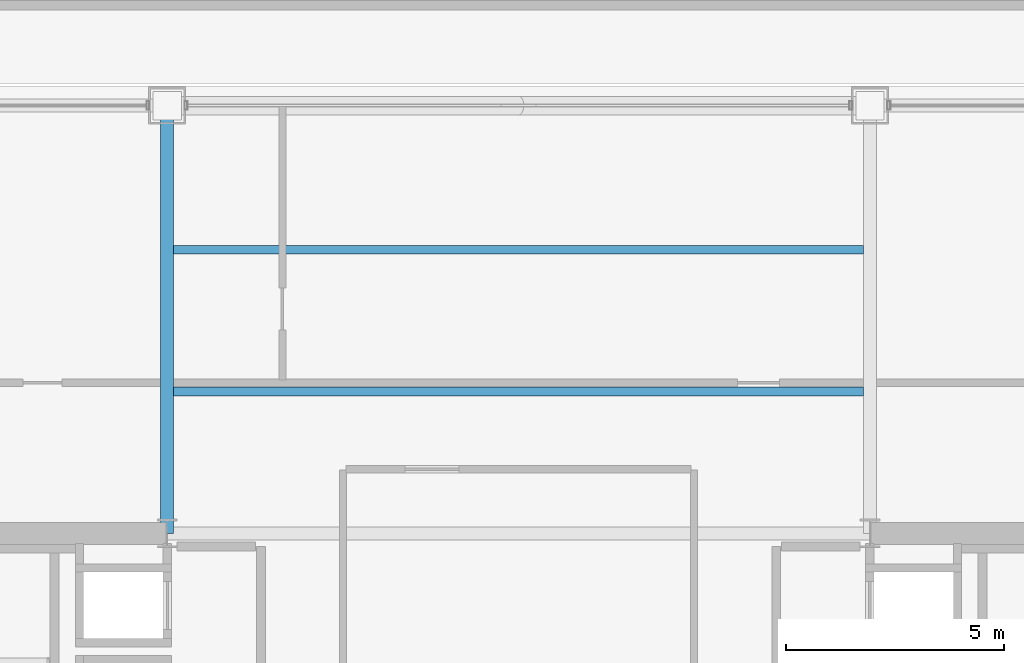
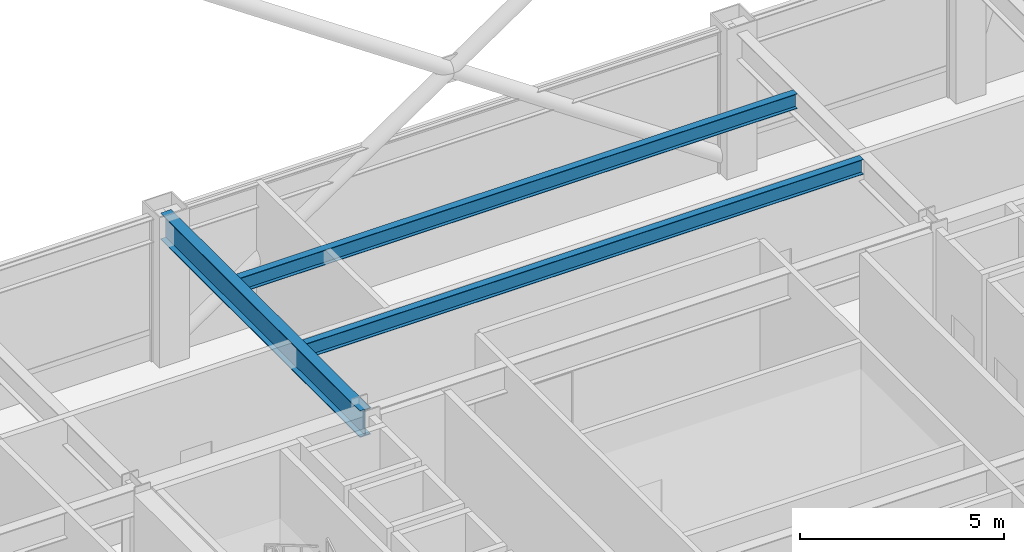
# One storey, part 21 of 32: 3 beams.
"""IFC4 building model written with IfcOpenShell, lengths in metres."""

from ifc_helpers import new_model, si_unit, direction, frame, origin, origin_2d, place, context, subcontext, project, spatial, i_section, extrude, material, material_profile, profile_set, type_object, element, save


model = new_model("IFC4")

# Units and contexts
model_context = context("Model", 3, precision=1e-05, world=origin(), true_north=direction((0.0, 1.0)))
body_context = subcontext(model_context, "Body", "Model", "MODEL_VIEW")
ifc_project = project(units=[si_unit("LENGTHUNIT", "METRE"), si_unit("AREAUNIT", "SQUARE_METRE"), si_unit("VOLUMEUNIT", "CUBIC_METRE"), si_unit("PLANEANGLEUNIT", "RADIAN"), si_unit("MASSUNIT", "GRAM", prefix="KILO")], contexts=[model_context])

# Site, building, storey
site_placement = place(None, origin())
site = spatial("IfcSite", under=ifc_project, at=site_placement, CompositionType="ELEMENT")
building_placement = place(site_placement, origin())
building = spatial("IfcBuilding", under=site, at=building_placement, Name="Brelmoor Portico Tower", CompositionType="ELEMENT")
storey_placement = place(building_placement, frame((0.0, 0.0, 87.300048828125)))
storey = spatial("IfcBuildingStorey", under=building, at=storey_placement, Name="L22", CompositionType="ELEMENT", Elevation=87.300048828125)

# Beams
ifc_material = material(Name="Steel Q355B", Category="steel")
ifc_material_profile_1 = material_profile(ifc_material, i_section(OverallWidth=0.199951171875, OverallDepth=0.449951171875, WebThickness=0.009033203125, FlangeThickness=0.013916015625, at=origin_2d()), Name="HN 450x200x9x14")
ifc_profile_set_1 = profile_set([ifc_material_profile_1], Name="Steel Q355B")
beam_type_1 = type_object("IfcBeamType", Name="BM-JS-450", PredefinedType="JOIST", material=ifc_profile_set_1)
for number, where, z_axis, x_axis, name in (
    (1, (-7.89990234375, 13.0, 4.074951171875), (1.0, 0.0, 0.0), (0.0, 1.0, 0.0), "L22 Secondary Composite Joist JS-C03"),
    (2, (-7.89990234375, 16.25, 4.074951171875), (1.0, 0.0, 0.0), (0.0, 1.0, 0.0), "L22 Secondary Composite Joist JS-C04"),
):
    element("IfcBeam", number, at=place(storey_placement, frame(where, z_axis=z_axis, x_axis=x_axis)), inside=storey, type_object=beam_type_1, Name=name, PredefinedType="JOIST", context=body_context, shape_type="SweptSolid", body=[
        extrude(i_section(OverallWidth=0.199951171875, OverallDepth=0.449951171875, WebThickness=0.009033203125, FlangeThickness=0.013916015625, at=origin_2d()), origin(), (0.0, 0.0, 1.0), 15.7998046875),
    ])
ifc_material_profile_2 = material_profile(ifc_material, i_section(OverallWidth=0.300048828125, OverallDepth=0.800048828125, WebThickness=0.013916015625, FlangeThickness=0.02587890625, at=origin_2d()), Name="HN 800x300x14x26")
ifc_profile_set_2 = profile_set([ifc_material_profile_2], Name="Steel Q355B")
beam_type_2 = type_object("IfcBeamType", Name="BM-PG-800", PredefinedType="BEAM", material=ifc_profile_set_2)
beam_placement = place(storey_placement, frame((-8.050048828125, 9.75, 3.89990234375), z_axis=(0.0, 1.0, 0.0), x_axis=(-1.0, 0.0, 0.0)))
element("IfcBeam", 3, at=beam_placement, inside=storey, type_object=beam_type_2, Name="L22 Primary Floor Girder PG-06", PredefinedType="BEAM", context=body_context, shape_type="SweptSolid", body=[
    extrude(i_section(OverallWidth=0.300048828125, OverallDepth=0.800048828125, WebThickness=0.013916015625, FlangeThickness=0.02587890625, at=origin_2d()), origin(), (0.0, 0.0, 1.0), 9.800048828125),
])

save(model, "model.ifc")
